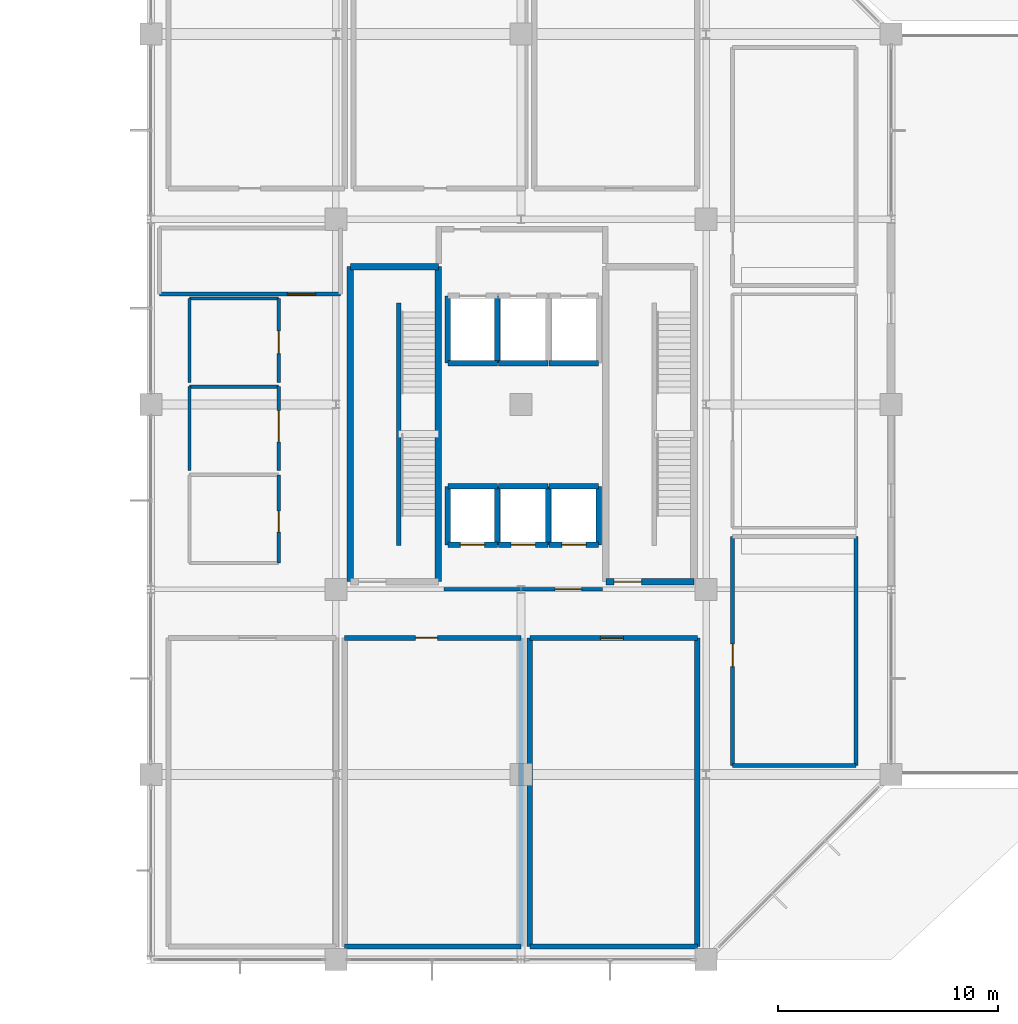
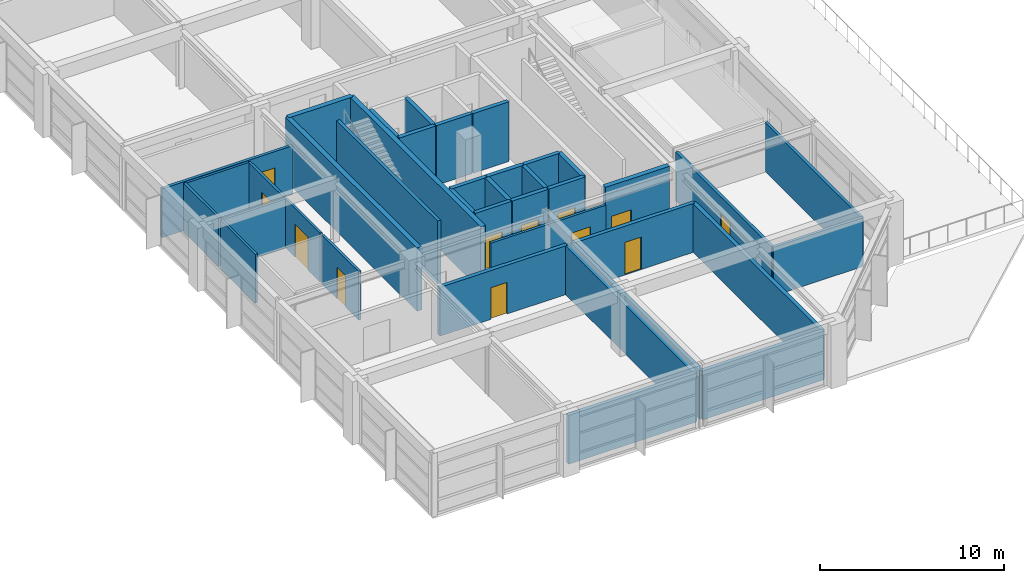
# One storey, part 17 of 21: 39 walls, 12 doors, 12 openings.
"""IFC4 building model written with IfcOpenShell, lengths in metres."""

from ifc_helpers import new_model, si_unit, direction, frame, frame_2d, origin, place, context, subcontext, project, spatial, rectangle, extrude, material, layer, layer_set, type_object, element, fill, save


model = new_model("IFC4")

# Units and contexts
model_context = context("Model", 3, precision=1e-05, world=origin(), true_north=direction((0.0, 1.0)))
body_context = subcontext(model_context, "Body", "Model", "MODEL_VIEW")
ifc_project = project(units=[si_unit("LENGTHUNIT", "METRE"), si_unit("AREAUNIT", "SQUARE_METRE"), si_unit("VOLUMEUNIT", "CUBIC_METRE"), si_unit("PLANEANGLEUNIT", "RADIAN"), si_unit("MASSUNIT", "GRAM", prefix="KILO")], contexts=[model_context])

# Site, building, storey
site_placement = place(None, origin())
site = spatial("IfcSite", under=ifc_project, at=site_placement, CompositionType="ELEMENT")
building_placement = place(site_placement, origin())
building = spatial("IfcBuilding", under=site, at=building_placement, Name="Xuanlan Plaza Opera House", CompositionType="ELEMENT")
storey_placement = place(building_placement, frame((0.0, 0.0, 44.699951171875)))
storey = spatial("IfcBuildingStorey", under=building, at=storey_placement, Name="L10", CompositionType="ELEMENT", Elevation=44.699951171875)

# Wall
ifc_material_1 = material(Name="Gypsum Board and Galvanised Steel Studs", Category="gypsum")
ifc_layer_1 = layer(ifc_material_1, 0.239990234375)
ifc_layer_set_1 = layer_set([ifc_layer_1], Name="Gypsum Board and Galvanised Steel Studs")
wall_type_1 = type_object("IfcWallType", Name="INT-WL-PW-01", PredefinedType="PARTITIONING", material=ifc_layer_set_1)
wall_1_placement = place(storey_placement, frame((134.800048828125, 34.199951171875, 0.0), z_axis=(0.0, 0.0, 1.0), x_axis=(1.0, 0.0, 0.0)))
element("IfcWall", 1, at=wall_1_placement, inside=storey, type_object=wall_type_1, Name="Conservatoire Practice Studio 2 Wall South", PredefinedType="PARTITIONING", context=body_context, shape_type="SweptSolid", body=[
    extrude(rectangle(XDim=8.0, YDim=0.239990234375, at=frame_2d((4.0, 0.0))), origin(), (0.0, 0.0, 1.0), 3.239990234375),
])

# Wall, opening, door
wall_2_placement = place(storey_placement, frame((134.800048828125, 48.199951171875, 0.0), z_axis=(0.0, 0.0, 1.0), x_axis=(1.0, 0.0, 0.0)))
wall_2 = element("IfcWall", 2, at=wall_2_placement, inside=storey, type_object=wall_type_1, Name="Conservatoire Practice Studio 2 Wall North", PredefinedType="PARTITIONING", context=body_context, shape_type="SweptSolid", body=[
    extrude(rectangle(XDim=8.0, YDim=0.239990234375, at=frame_2d((4.0, 0.0))), origin(), (0.0, 0.0, 1.0), 3.239990234375),
])
opening_1_placement = place(wall_2_placement, frame((3.199951171875, 0.0, 0.0)))
opening_1 = element("IfcOpeningElement", 3, at=opening_1_placement, cuts=wall_2, Name="Opening D-02", PredefinedType="OPENING", context=body_context, shape_type="SweptSolid", body=[
    extrude(rectangle(XDim=1.02001953125, YDim=2.10009765625, at=frame_2d((0.510009765625, 1.050048828125))), frame((0.0, 0.1298828125, 0.0), z_axis=(0.0, -1.0, 0.0), x_axis=(1.0, 0.0, 0.0)), (0.0, 0.0, 1.0), 0.260009765625),
])
ifc_material_2 = material(Name="Oak Hardwood Timber", Category="wood")
door_type_1 = type_object("IfcDoorType", Name="INT-DR-D-02", OperationType="NOTDEFINED", PredefinedType="DOOR", material=ifc_material_2)
door_1_placement = place(opening_1_placement, origin())
door_1 = element("IfcDoor", 4, at=door_1_placement, inside=storey, type_object=door_type_1, Name="Conservatoire Practice Studio 2 Door 1", OperationType="SINGLE_SWING_RIGHT", OverallHeight=2.10009765625, OverallWidth=1.02001953125, PredefinedType="DOOR", context=body_context, shape_type="SweptSolid", body=[
    extrude(rectangle(XDim=1.02001953125, YDim=2.10009765625, at=frame_2d((0.510009765625, 1.050048828125))), frame((0.0, 0.02490234375, 0.0), z_axis=(0.0, -1.0, 0.0), x_axis=(1.0, 0.0, 0.0)), (0.0, 0.0, 1.0), 0.050048828125),
])
fill(opening_1, door_1)

# Walls
wall_3_placement = place(storey_placement, frame((142.800048828125, 34.199951171875, 0.0), z_axis=(0.0, 0.0, 1.0), x_axis=(0.0, 1.0, 0.0)))
element("IfcWall", 5, at=wall_3_placement, inside=storey, type_object=wall_type_1, Name="Conservatoire Practice Studio 2 Wall East", PredefinedType="PARTITIONING", context=body_context, shape_type="SweptSolid", body=[
    extrude(rectangle(XDim=14.0, YDim=0.239990234375, at=frame_2d((7.0, 0.0))), origin(), (0.0, 0.0, 1.0), 3.239990234375),
])
wall_4_placement = place(storey_placement, frame((143.199951171875, 34.199951171875, 0.0), z_axis=(0.0, 0.0, 1.0), x_axis=(1.0, 0.0, 0.0)))
element("IfcWall", 6, at=wall_4_placement, inside=storey, type_object=wall_type_1, Name="Conservatoire Practice Studio 3 Wall South", PredefinedType="PARTITIONING", context=body_context, shape_type="SweptSolid", body=[
    extrude(rectangle(XDim=7.60009765625, YDim=0.239990234375, at=frame_2d((3.800048828125, 0.0))), origin(), (0.0, 0.0, 1.0), 3.239990234375),
])

# Wall, opening, door
wall_5_placement = place(storey_placement, frame((143.199951171875, 48.199951171875, 0.0), z_axis=(0.0, 0.0, 1.0), x_axis=(1.0, 0.0, 0.0)))
wall_5 = element("IfcWall", 7, at=wall_5_placement, inside=storey, type_object=wall_type_1, Name="Conservatoire Practice Studio 3 Wall North", PredefinedType="PARTITIONING", context=body_context, shape_type="SweptSolid", body=[
    extrude(rectangle(XDim=7.60009765625, YDim=0.239990234375, at=frame_2d((3.800048828125, 0.0))), origin(), (0.0, 0.0, 1.0), 3.239990234375),
])
opening_2_placement = place(wall_5_placement, frame((3.199951171875, 0.0, 0.0)))
opening_2 = element("IfcOpeningElement", 8, at=opening_2_placement, cuts=wall_5, Name="Opening D-16", PredefinedType="OPENING", context=body_context, shape_type="SweptSolid", body=[
    extrude(rectangle(XDim=1.050048828125, YDim=2.159912109375, at=frame_2d((0.52490234375, 1.080078125))), frame((0.0, 0.1298828125, 0.0), z_axis=(0.0, -1.0, 0.0), x_axis=(1.0, 0.0, 0.0)), (0.0, 0.0, 1.0), 0.260009765625),
])
door_type_2 = type_object("IfcDoorType", Name="INT-DR-D-16", OperationType="NOTDEFINED", PredefinedType="DOOR", material=ifc_material_2)
door_2_placement = place(opening_2_placement, origin())
door_2 = element("IfcDoor", 9, at=door_2_placement, inside=storey, type_object=door_type_2, Name="Conservatoire Practice Studio 3 Door 1", OperationType="SINGLE_SWING_LEFT", OverallHeight=2.159912109375, OverallWidth=1.050048828125, PredefinedType="DOOR", context=body_context, shape_type="SweptSolid", body=[
    extrude(rectangle(XDim=1.050048828125, YDim=2.159912109375, at=frame_2d((0.52490234375, 1.080078125))), frame((0.0, 0.02490234375, 0.0), z_axis=(0.0, -1.0, 0.0), x_axis=(1.0, 0.0, 0.0)), (0.0, 0.0, 1.0), 0.050048828125),
])
fill(opening_2, door_2)

# Walls
for number, where, z_axis, x_axis, name in (
    (10, (143.199951171875, 34.199951171875, 0.0), (0.0, 0.0, 1.0), (0.0, 1.0, 0.0), "Conservatoire Practice Studio 3 Wall West"),
    (11, (150.800048828125, 34.199951171875, 0.0), (0.0, 0.0, 1.0), (0.0, 1.0, 0.0), "Conservatoire Practice Studio 3 Wall East"),
):
    element("IfcWall", number, at=place(storey_placement, frame(where, z_axis=z_axis, x_axis=x_axis)), inside=storey, type_object=wall_type_1, Name=name, PredefinedType="PARTITIONING", context=body_context, shape_type="SweptSolid", body=[
        extrude(rectangle(XDim=14.0, YDim=0.239990234375, at=frame_2d((7.0, 0.0))), origin(), (0.0, 0.0, 1.0), 3.239990234375),
    ])
ifc_layer_2 = layer(ifc_material_1, 0.179931640625)
ifc_layer_set_2 = layer_set([ifc_layer_2], Name="Gypsum Board and Galvanised Steel Studs")
wall_type_2 = type_object("IfcWallType", Name="INT-WL-PW-02", PredefinedType="PARTITIONING", material=ifc_layer_set_2)
wall_6_placement = place(storey_placement, frame((152.39990234375, 42.39990234375, 0.0), z_axis=(0.0, 0.0, 1.0), x_axis=(1.0, 0.0, 0.0)))
element("IfcWall", 12, at=wall_6_placement, inside=storey, type_object=wall_type_2, Name="Libretto and Media Editing Room 1 Wall South", PredefinedType="PARTITIONING", context=body_context, shape_type="SweptSolid", body=[
    extrude(rectangle(XDim=5.60009765625, YDim=0.179931640625, at=frame_2d((2.800048828125, 0.0))), origin(), (0.0, 0.0, 1.0), 3.239990234375),
])

# Wall, opening, door
wall_7_placement = place(storey_placement, frame((152.39990234375, 42.39990234375, 0.0), z_axis=(0.0, 0.0, 1.0), x_axis=(0.0, 1.0, 0.0)))
wall_7 = element("IfcWall", 13, at=wall_7_placement, inside=storey, type_object=wall_type_2, Name="Libretto and Media Editing Room 1 Wall West", PredefinedType="PARTITIONING", context=body_context, shape_type="SweptSolid", body=[
    extrude(rectangle(XDim=10.400146484375, YDim=0.179931640625, at=frame_2d((5.2001953125, 0.0))), origin(), (0.0, 0.0, 1.0), 3.239990234375),
])
opening_3_placement = place(wall_7_placement, frame((4.5, 0.0, 0.0)))
opening_3 = element("IfcOpeningElement", 14, at=opening_3_placement, cuts=wall_7, Name="Opening D-02", PredefinedType="OPENING", context=body_context, shape_type="SweptSolid", body=[
    extrude(rectangle(XDim=1.02001953125, YDim=2.10009765625, at=frame_2d((0.510009765625, 1.050048828125))), frame((0.0, 0.099853515625, 0.0), z_axis=(0.0, -1.0, 0.0), x_axis=(1.0, 0.0, 0.0)), (0.0, 0.0, 1.0), 0.199951171875),
])
door_3_placement = place(opening_3_placement, origin())
door_3 = element("IfcDoor", 15, at=door_3_placement, inside=storey, type_object=door_type_1, Name="Libretto and Media Editing Room 1 Door 1", OperationType="SINGLE_SWING_LEFT", OverallHeight=2.10009765625, OverallWidth=1.02001953125, PredefinedType="DOOR", context=body_context, shape_type="SweptSolid", body=[
    extrude(rectangle(XDim=1.02001953125, YDim=2.10009765625, at=frame_2d((0.510009765625, 1.050048828125))), frame((0.0, 0.02490234375, 0.0), z_axis=(0.0, -1.0, 0.0), x_axis=(1.0, 0.0, 0.0)), (0.0, 0.0, 1.0), 0.050048828125),
])
fill(opening_3, door_3)

# Wall
wall_8_placement = place(storey_placement, frame((158.0, 42.39990234375, 0.0), z_axis=(0.0, 0.0, 1.0), x_axis=(0.0, 1.0, 0.0)))
element("IfcWall", 16, at=wall_8_placement, inside=storey, type_object=wall_type_2, Name="Libretto and Media Editing Room 1 Wall East", PredefinedType="PARTITIONING", context=body_context, shape_type="SweptSolid", body=[
    extrude(rectangle(XDim=10.400146484375, YDim=0.179931640625, at=frame_2d((5.2001953125, 0.0))), origin(), (0.0, 0.0, 1.0), 3.239990234375),
])

# Wall, opening, door
wall_9_placement = place(storey_placement, frame((126.39990234375, 63.800048828125, 0.0), z_axis=(0.0, 0.0, 1.0), x_axis=(1.0, 0.0, 0.0)))
wall_9 = element("IfcWall", 17, at=wall_9_placement, inside=storey, type_object=wall_type_2, Name="Acoustics Research Studio Wall South", PredefinedType="PARTITIONING", context=body_context, shape_type="SweptSolid", body=[
    extrude(rectangle(XDim=8.2001953125, YDim=0.179931640625, at=frame_2d((4.10009765625, 0.0))), origin(), (0.0, 0.0, 1.0), 3.239990234375),
])
opening_4_placement = place(wall_9_placement, frame((5.800048828125, 0.0, 0.0)))
opening_4 = element("IfcOpeningElement", 18, at=opening_4_placement, cuts=wall_9, Name="Opening D-11", PredefinedType="OPENING", context=body_context, shape_type="SweptSolid", body=[
    extrude(rectangle(XDim=1.280029296875, YDim=2.159912109375, at=frame_2d((0.64013671875, 1.080078125))), frame((0.0, 0.099853515625, 0.0), z_axis=(0.0, -1.0, 0.0), x_axis=(1.0, 0.0, 0.0)), (0.0, 0.0, 1.0), 0.199951171875),
])
ifc_material_3 = material(Name="Walnut Hardwood Timber", Category="wood")
door_type_3 = type_object("IfcDoorType", Name="INT-DR-D-11", OperationType="NOTDEFINED", PredefinedType="DOOR", material=ifc_material_3)
door_4_placement = place(opening_4_placement, origin())
door_4 = element("IfcDoor", 19, at=door_4_placement, inside=storey, type_object=door_type_3, Name="Acoustics Research Studio Door 1", OperationType="SINGLE_SWING_RIGHT", OverallHeight=2.159912109375, OverallWidth=1.280029296875, PredefinedType="DOOR", context=body_context, shape_type="SweptSolid", body=[
    extrude(rectangle(XDim=1.280029296875, YDim=2.159912109375, at=frame_2d((0.64013671875, 1.080078125))), frame((0.0, 0.02490234375, 0.0), z_axis=(0.0, -1.0, 0.0), x_axis=(1.0, 0.0, 0.0)), (0.0, 0.0, 1.0), 0.050048828125),
])
fill(opening_4, door_4)

ifc_material_4 = material(Name="Autoclaved Aerated Blockwork Masonry", Category="masonry")
ifc_layer_3 = layer(ifc_material_4, 0.14990234375)
ifc_layer_set_3 = layer_set([ifc_layer_3], Name="Autoclaved Aerated Blockwork Masonry")
wall_type_3 = type_object("IfcWallType", Name="INT-WL-PW-03", PredefinedType="PARTITIONING", material=ifc_layer_set_3)
wall_10_placement = place(storey_placement, frame((131.800048828125, 51.60009765625, 0.0), z_axis=(0.0, 0.0, 1.0), x_axis=(0.0, 1.0, 0.0)))
wall_10 = element("IfcWall", 20, at=wall_10_placement, inside=storey, type_object=wall_type_3, Name="Public WC Wall East", PredefinedType="PARTITIONING", context=body_context, shape_type="SweptSolid", body=[
    extrude(rectangle(XDim=4.0, YDim=0.14990234375, at=frame_2d((2.0, 0.0))), origin(), (0.0, 0.0, 1.0), 3.239990234375),
])
opening_5_placement = place(wall_10_placement, frame((1.39990234375, 0.0, 0.0)))
opening_5 = element("IfcOpeningElement", 21, at=opening_5_placement, cuts=wall_10, Name="Opening D-01", PredefinedType="OPENING", context=body_context, shape_type="SweptSolid", body=[
    extrude(rectangle(XDim=0.949951171875, YDim=2.10009765625, at=frame_2d((0.47509765625, 1.050048828125))), frame((0.0, 0.0849609375, 0.0), z_axis=(0.0, -1.0, 0.0), x_axis=(1.0, 0.0, 0.0)), (0.0, 0.0, 1.0), 0.169921875),
])
door_type_4 = type_object("IfcDoorType", Name="INT-DR-D-01", OperationType="NOTDEFINED", PredefinedType="DOOR", material=ifc_material_3)
door_5_placement = place(opening_5_placement, origin())
door_5 = element("IfcDoor", 22, at=door_5_placement, inside=storey, type_object=door_type_4, Name="Public WC Door 1", OperationType="SINGLE_SWING_RIGHT", OverallHeight=2.10009765625, OverallWidth=0.949951171875, PredefinedType="DOOR", context=body_context, shape_type="SweptSolid", body=[
    extrude(rectangle(XDim=0.949951171875, YDim=2.10009765625, at=frame_2d((0.47509765625, 1.050048828125))), frame((0.0, 0.02490234375, 0.0), z_axis=(0.0, -1.0, 0.0), x_axis=(1.0, 0.0, 0.0)), (0.0, 0.0, 1.0), 0.050048828125),
])
fill(opening_5, door_5)

# Walls
wall_11_placement = place(storey_placement, frame((127.75, 59.60009765625, 0.0), z_axis=(0.0, 0.0, 1.0), x_axis=(1.0, 0.0, 0.0)))
element("IfcWall", 23, at=wall_11_placement, inside=storey, type_object=wall_type_3, Name="Staff WC Wall North", PredefinedType="PARTITIONING", context=body_context, shape_type="SweptSolid", body=[
    extrude(rectangle(XDim=4.050048828125, YDim=0.14990234375, at=frame_2d((2.02490234375, 0.0))), origin(), (0.0, 0.0, 1.0), 3.239990234375),
])
wall_12_placement = place(storey_placement, frame((127.75, 55.800048828125, 0.0), z_axis=(0.0, 0.0, 1.0), x_axis=(0.0, 1.0, 0.0)))
element("IfcWall", 24, at=wall_12_placement, inside=storey, type_object=wall_type_3, Name="Staff WC Wall West", PredefinedType="PARTITIONING", context=body_context, shape_type="SweptSolid", body=[
    extrude(rectangle(XDim=3.800048828125, YDim=0.14990234375, at=frame_2d((1.89990234375, 0.0))), origin(), (0.0, 0.0, 1.0), 3.239990234375),
])

# Wall, opening, door
wall_13_placement = place(storey_placement, frame((131.800048828125, 55.800048828125, 0.0), z_axis=(0.0, 0.0, 1.0), x_axis=(0.0, 1.0, 0.0)))
wall_13 = element("IfcWall", 25, at=wall_13_placement, inside=storey, type_object=wall_type_3, Name="Staff WC Wall East", PredefinedType="PARTITIONING", context=body_context, shape_type="SweptSolid", body=[
    extrude(rectangle(XDim=3.800048828125, YDim=0.14990234375, at=frame_2d((1.89990234375, 0.0))), origin(), (0.0, 0.0, 1.0), 3.239990234375),
])
opening_6_placement = place(wall_13_placement, frame((1.300048828125, 0.0, 0.0)))
opening_6 = element("IfcOpeningElement", 26, at=opening_6_placement, cuts=wall_13, Name="Opening D-12", PredefinedType="OPENING", context=body_context, shape_type="SweptSolid", body=[
    extrude(rectangle(XDim=1.419921875, YDim=2.179931640625, at=frame_2d((0.7099609375, 1.08984375))), frame((0.0, 0.0849609375, 0.0), z_axis=(0.0, -1.0, 0.0), x_axis=(1.0, 0.0, 0.0)), (0.0, 0.0, 1.0), 0.169921875),
])
door_type_5 = type_object("IfcDoorType", Name="INT-DR-D-12", OperationType="DOUBLE_DOOR_SINGLE_SWING", PredefinedType="DOOR", material=ifc_material_2)
door_6_placement = place(opening_6_placement, origin())
door_6 = element("IfcDoor", 27, at=door_6_placement, inside=storey, type_object=door_type_5, Name="Staff WC Door 1", OperationType="DOUBLE_DOOR_SINGLE_SWING", OverallHeight=2.179931640625, OverallWidth=1.419921875, PredefinedType="DOOR", context=body_context, shape_type="SweptSolid", body=[
    extrude(rectangle(XDim=1.419921875, YDim=2.179931640625, at=frame_2d((0.7099609375, 1.08984375))), frame((0.0, 0.02490234375, 0.0), z_axis=(0.0, -1.0, 0.0), x_axis=(1.0, 0.0, 0.0)), (0.0, 0.0, 1.0), 0.050048828125),
])
fill(opening_6, door_6)

# Walls
wall_14_placement = place(storey_placement, frame((127.75, 63.60009765625, 0.0), z_axis=(0.0, 0.0, 1.0), x_axis=(1.0, 0.0, 0.0)))
element("IfcWall", 28, at=wall_14_placement, inside=storey, type_object=wall_type_3, Name="Accessible WC Wall North", PredefinedType="PARTITIONING", context=body_context, shape_type="SweptSolid", body=[
    extrude(rectangle(XDim=4.050048828125, YDim=0.14990234375, at=frame_2d((2.02490234375, 0.0))), origin(), (0.0, 0.0, 1.0), 3.239990234375),
])
wall_15_placement = place(storey_placement, frame((127.75, 59.800048828125, 0.0), z_axis=(0.0, 0.0, 1.0), x_axis=(0.0, 1.0, 0.0)))
element("IfcWall", 29, at=wall_15_placement, inside=storey, type_object=wall_type_3, Name="Accessible WC Wall West", PredefinedType="PARTITIONING", context=body_context, shape_type="SweptSolid", body=[
    extrude(rectangle(XDim=3.800048828125, YDim=0.14990234375, at=frame_2d((1.89990234375, 0.0))), origin(), (0.0, 0.0, 1.0), 3.239990234375),
])

# Wall, opening, door
wall_16_placement = place(storey_placement, frame((131.800048828125, 59.800048828125, 0.0), z_axis=(0.0, 0.0, 1.0), x_axis=(0.0, 1.0, 0.0)))
wall_16 = element("IfcWall", 30, at=wall_16_placement, inside=storey, type_object=wall_type_3, Name="Accessible WC Wall East", PredefinedType="PARTITIONING", context=body_context, shape_type="SweptSolid", body=[
    extrude(rectangle(XDim=3.800048828125, YDim=0.14990234375, at=frame_2d((1.89990234375, 0.0))), origin(), (0.0, 0.0, 1.0), 3.239990234375),
])
opening_7_placement = place(wall_16_placement, frame((1.300048828125, 0.0, 0.0)))
opening_7 = element("IfcOpeningElement", 31, at=opening_7_placement, cuts=wall_16, Name="Opening D-02", PredefinedType="OPENING", context=body_context, shape_type="SweptSolid", body=[
    extrude(rectangle(XDim=1.02001953125, YDim=2.10009765625, at=frame_2d((0.510009765625, 1.050048828125))), frame((0.0, 0.0849609375, 0.0), z_axis=(0.0, -1.0, 0.0), x_axis=(1.0, 0.0, 0.0)), (0.0, 0.0, 1.0), 0.169921875),
])
door_7_placement = place(opening_7_placement, origin())
door_7 = element("IfcDoor", 32, at=door_7_placement, inside=storey, type_object=door_type_1, Name="Accessible WC Door 1", OperationType="SINGLE_SWING_RIGHT", OverallHeight=2.10009765625, OverallWidth=1.02001953125, PredefinedType="DOOR", context=body_context, shape_type="SweptSolid", body=[
    extrude(rectangle(XDim=1.02001953125, YDim=2.10009765625, at=frame_2d((0.510009765625, 1.050048828125))), frame((0.0, 0.02490234375, 0.0), z_axis=(0.0, -1.0, 0.0), x_axis=(1.0, 0.0, 0.0)), (0.0, 0.0, 1.0), 0.050048828125),
])
fill(opening_7, door_7)

ifc_layer_4 = layer(ifc_material_1, 0.159912109375)
ifc_layer_set_4 = layer_set([ifc_layer_4], Name="Gypsum Board and Galvanised Steel Studs")
wall_type_4 = type_object("IfcWallType", Name="INT-WL-PW-05", PredefinedType="PARTITIONING", material=ifc_layer_set_4)
wall_17_placement = place(storey_placement, frame((139.300048828125, 50.39990234375, 0.0), z_axis=(0.0, 0.0, 1.0), x_axis=(1.0, 0.0, 0.0)))
wall_17 = element("IfcWall", 33, at=wall_17_placement, inside=storey, type_object=wall_type_4, Name="Tower Lift Lobby Wall South", PredefinedType="PARTITIONING", context=body_context, shape_type="SweptSolid", body=[
    extrude(rectangle(XDim=7.199951171875, YDim=0.159912109375, at=frame_2d((3.60009765625, 0.0))), origin(), (0.0, 0.0, 1.0), 3.239990234375),
])
opening_8_placement = place(wall_17_placement, frame((5.050048828125, 0.0, 0.0)))
opening_8 = element("IfcOpeningElement", 34, at=opening_8_placement, cuts=wall_17, Name="Opening FD-02", PredefinedType="OPENING", context=body_context, shape_type="SweptSolid", body=[
    extrude(rectangle(XDim=1.199951171875, YDim=2.14990234375, at=frame_2d((0.60009765625, 1.074951171875))), frame((0.0, 0.08984375, 0.0), z_axis=(0.0, -1.0, 0.0), x_axis=(1.0, 0.0, 0.0)), (0.0, 0.0, 1.0), 0.179931640625),
])
ifc_material_5 = material(Name="Galvanised Steel Q235B", Category="steel")
door_type_6 = type_object("IfcDoorType", Name="INT-DR-FD-02", OperationType="NOTDEFINED", PredefinedType="DOOR", material=ifc_material_5)
door_8_placement = place(opening_8_placement, frame((1.199951171875, 0.0, 0.0), z_axis=(0.0, 0.0, 1.0), x_axis=(-1.0, 0.0, 0.0)))
door_8 = element("IfcDoor", 35, at=door_8_placement, inside=storey, type_object=door_type_6, Name="Tower Lift Lobby Door 1", OperationType="SINGLE_SWING_RIGHT", OverallHeight=2.14990234375, OverallWidth=1.199951171875, PredefinedType="DOOR", context=body_context, shape_type="SweptSolid", body=[
    extrude(rectangle(XDim=1.199951171875, YDim=2.14990234375, at=frame_2d((0.60009765625, 1.074951171875))), frame((0.0, 0.02490234375, 0.0), z_axis=(0.0, -1.0, 0.0), x_axis=(1.0, 0.0, 0.0)), (0.0, 0.0, 1.0), 0.050048828125),
])
fill(opening_8, door_8)

# Walls
ifc_material_6 = material(Name="Concrete C40", Category="concrete")
ifc_layer_5 = layer(ifc_material_6, 0.25)
ifc_layer_set_5 = layer_set([ifc_layer_5], Name="Concrete C40")
wall_type_5 = type_object("IfcWallType", Name="INT-WL-SW-LF1", PredefinedType="SHEAR", material=ifc_layer_set_5)
wall_18_placement = place(storey_placement, frame((139.47509765625, 60.675048828125, 0.0), z_axis=(0.0, 0.0, 1.0), x_axis=(1.0, 0.0, 0.0)))
element("IfcWall", 36, at=wall_18_placement, inside=storey, type_object=wall_type_5, Name="Lift Shaft Wall LF-FF1 L10 South", PredefinedType="SHEAR", context=body_context, shape_type="SweptSolid", body=[
    extrude(rectangle(XDim=2.25, YDim=0.25, at=frame_2d((1.125, 0.0))), origin(), (0.0, 0.0, 1.0), 3.9599609375),
])
for number, where, z_axis, x_axis, name in (
    (37, (139.47509765625, 60.675048828125, 0.0), (0.0, 0.0, 1.0), (0.0, 1.0, 0.0), "Lift Shaft Wall LF-FF1 L10 West"),
    (38, (141.72509765625, 60.675048828125, 0.0), (0.0, 0.0, 1.0), (0.0, 1.0, 0.0), "Lift Shaft Wall LF-FF1 L10 East"),
):
    element("IfcWall", number, at=place(storey_placement, frame(where, z_axis=z_axis, x_axis=x_axis)), inside=storey, type_object=wall_type_5, Name=name, PredefinedType="SHEAR", context=body_context, shape_type="SweptSolid", body=[
        extrude(rectangle(XDim=3.050048828125, YDim=0.25, at=frame_2d((1.52490234375, 0.0))), origin(), (0.0, 0.0, 1.0), 3.9599609375),
    ])
for number, where, z_axis, x_axis, name in (
    (39, (141.77490234375, 60.675048828125, 0.0), (0.0, 0.0, 1.0), (1.0, 0.0, 0.0), "Lift Shaft Wall LF-FF2 L10 South"),
    (40, (144.074951171875, 60.675048828125, 0.0), (0.0, 0.0, 1.0), (1.0, 0.0, 0.0), "Lift Shaft Wall LF-FF3 L10 South"),
):
    element("IfcWall", number, at=place(storey_placement, frame(where, z_axis=z_axis, x_axis=x_axis)), inside=storey, type_object=wall_type_5, Name=name, PredefinedType="SHEAR", context=body_context, shape_type="SweptSolid", body=[
        extrude(rectangle(XDim=2.25, YDim=0.25, at=frame_2d((1.125, 0.0))), origin(), (0.0, 0.0, 1.0), 3.9599609375),
    ])

# Wall, opening, door
wall_19_placement = place(storey_placement, frame((139.47509765625, 52.425048828125, 0.0), z_axis=(0.0, 0.0, 1.0), x_axis=(1.0, 0.0, 0.0)))
wall_19 = element("IfcWall", 41, at=wall_19_placement, inside=storey, type_object=wall_type_5, Name="Lift Shaft Wall LF-P1 L10 South", PredefinedType="SHEAR", context=body_context, shape_type="SweptSolid", body=[
    extrude(rectangle(XDim=2.25, YDim=0.25, at=frame_2d((1.125, 0.0))), origin(), (0.0, 0.0, 1.0), 3.9599609375),
])
opening_9_placement = place(wall_19_placement, frame((0.574951171875, 0.0, 0.0)))
opening_9 = element("IfcOpeningElement", 42, at=opening_9_placement, cuts=wall_19, Name="Opening LD-P1-L10", PredefinedType="OPENING", context=body_context, shape_type="SweptSolid", body=[
    extrude(rectangle(XDim=1.10009765625, YDim=2.14990234375, at=frame_2d((0.550048828125, 1.074951171875))), frame((0.0, 0.135009765625, 0.0), z_axis=(0.0, -1.0, 0.0), x_axis=(1.0, 0.0, 0.0)), (0.0, 0.0, 1.0), 0.27001953125),
])
ifc_material_7 = material(Name="Stainless Steel S30408", Category="steel")
door_type_7 = type_object("IfcDoorType", Name="INT-DR-LD-01", OperationType="DOUBLE_DOOR_SLIDING", PredefinedType="DOOR", material=ifc_material_7)
door_9_placement = place(opening_9_placement, origin())
door_9 = element("IfcDoor", 43, at=door_9_placement, inside=storey, type_object=door_type_7, Name="Lift Sliding Landing Door LF-P1 L10", OperationType="DOUBLE_DOOR_SLIDING", OverallHeight=2.14990234375, OverallWidth=1.10009765625, PredefinedType="DOOR", context=body_context, shape_type="SweptSolid", body=[
    extrude(rectangle(XDim=1.10009765625, YDim=2.14990234375, at=frame_2d((0.550048828125, 1.074951171875))), frame((0.0, 0.02490234375, 0.0), z_axis=(0.0, -1.0, 0.0), x_axis=(1.0, 0.0, 0.0)), (0.0, 0.0, 1.0), 0.050048828125),
])
fill(opening_9, door_9)

# Walls
wall_20_placement = place(storey_placement, frame((139.47509765625, 55.074951171875, 0.0), z_axis=(0.0, 0.0, 1.0), x_axis=(1.0, 0.0, 0.0)))
element("IfcWall", 44, at=wall_20_placement, inside=storey, type_object=wall_type_5, Name="Lift Shaft Wall LF-P1 L10 North", PredefinedType="SHEAR", context=body_context, shape_type="SweptSolid", body=[
    extrude(rectangle(XDim=2.25, YDim=0.25, at=frame_2d((1.125, 0.0))), origin(), (0.0, 0.0, 1.0), 3.9599609375),
])
for number, where, z_axis, x_axis, name in (
    (45, (139.47509765625, 52.425048828125, 0.0), (0.0, 0.0, 1.0), (0.0, 1.0, 0.0), "Lift Shaft Wall LF-P1 L10 West"),
    (46, (141.72509765625, 52.425048828125, 0.0), (0.0, 0.0, 1.0), (0.0, 1.0, 0.0), "Lift Shaft Wall LF-P1 L10 East"),
):
    element("IfcWall", number, at=place(storey_placement, frame(where, z_axis=z_axis, x_axis=x_axis)), inside=storey, type_object=wall_type_5, Name=name, PredefinedType="SHEAR", context=body_context, shape_type="SweptSolid", body=[
        extrude(rectangle(XDim=2.64990234375, YDim=0.25, at=frame_2d((1.324951171875, 0.0))), origin(), (0.0, 0.0, 1.0), 3.9599609375),
    ])

# Wall, opening, door
wall_21_placement = place(storey_placement, frame((141.77490234375, 52.425048828125, 0.0), z_axis=(0.0, 0.0, 1.0), x_axis=(1.0, 0.0, 0.0)))
wall_21 = element("IfcWall", 47, at=wall_21_placement, inside=storey, type_object=wall_type_5, Name="Lift Shaft Wall LF-P2 L10 South", PredefinedType="SHEAR", context=body_context, shape_type="SweptSolid", body=[
    extrude(rectangle(XDim=2.25, YDim=0.25, at=frame_2d((1.125, 0.0))), origin(), (0.0, 0.0, 1.0), 3.9599609375),
])
opening_10_placement = place(wall_21_placement, frame((0.574951171875, 0.0, 0.0)))
opening_10 = element("IfcOpeningElement", 48, at=opening_10_placement, cuts=wall_21, Name="Opening LD-P2-L10", PredefinedType="OPENING", context=body_context, shape_type="SweptSolid", body=[
    extrude(rectangle(XDim=1.10009765625, YDim=2.14990234375, at=frame_2d((0.550048828125, 1.074951171875))), frame((0.0, 0.135009765625, 0.0), z_axis=(0.0, -1.0, 0.0), x_axis=(1.0, 0.0, 0.0)), (0.0, 0.0, 1.0), 0.27001953125),
])
door_10_placement = place(opening_10_placement, origin())
door_10 = element("IfcDoor", 49, at=door_10_placement, inside=storey, type_object=door_type_7, Name="Lift Sliding Landing Door LF-P2 L10", OperationType="DOUBLE_DOOR_SLIDING", OverallHeight=2.14990234375, OverallWidth=1.10009765625, PredefinedType="DOOR", context=body_context, shape_type="SweptSolid", body=[
    extrude(rectangle(XDim=1.10009765625, YDim=2.14990234375, at=frame_2d((0.550048828125, 1.074951171875))), frame((0.0, 0.02490234375, 0.0), z_axis=(0.0, -1.0, 0.0), x_axis=(1.0, 0.0, 0.0)), (0.0, 0.0, 1.0), 0.050048828125),
])
fill(opening_10, door_10)

# Walls
wall_22_placement = place(storey_placement, frame((141.77490234375, 55.074951171875, 0.0), z_axis=(0.0, 0.0, 1.0), x_axis=(1.0, 0.0, 0.0)))
element("IfcWall", 50, at=wall_22_placement, inside=storey, type_object=wall_type_5, Name="Lift Shaft Wall LF-P2 L10 North", PredefinedType="SHEAR", context=body_context, shape_type="SweptSolid", body=[
    extrude(rectangle(XDim=2.25, YDim=0.25, at=frame_2d((1.125, 0.0))), origin(), (0.0, 0.0, 1.0), 3.9599609375),
])
wall_23_placement = place(storey_placement, frame((144.02490234375, 52.425048828125, 0.0), z_axis=(0.0, 0.0, 1.0), x_axis=(0.0, 1.0, 0.0)))
element("IfcWall", 51, at=wall_23_placement, inside=storey, type_object=wall_type_5, Name="Lift Shaft Wall LF-P2 L10 East", PredefinedType="SHEAR", context=body_context, shape_type="SweptSolid", body=[
    extrude(rectangle(XDim=2.64990234375, YDim=0.25, at=frame_2d((1.324951171875, 0.0))), origin(), (0.0, 0.0, 1.0), 3.9599609375),
])

# Wall, opening, door
wall_24_placement = place(storey_placement, frame((144.074951171875, 52.425048828125, 0.0), z_axis=(0.0, 0.0, 1.0), x_axis=(1.0, 0.0, 0.0)))
wall_24 = element("IfcWall", 52, at=wall_24_placement, inside=storey, type_object=wall_type_5, Name="Lift Shaft Wall LF-P3 L10 South", PredefinedType="SHEAR", context=body_context, shape_type="SweptSolid", body=[
    extrude(rectangle(XDim=2.25, YDim=0.25, at=frame_2d((1.125, 0.0))), origin(), (0.0, 0.0, 1.0), 3.9599609375),
])
opening_11_placement = place(wall_24_placement, frame((0.574951171875, 0.0, 0.0)))
opening_11 = element("IfcOpeningElement", 53, at=opening_11_placement, cuts=wall_24, Name="Opening LD-P3-L10", PredefinedType="OPENING", context=body_context, shape_type="SweptSolid", body=[
    extrude(rectangle(XDim=1.10009765625, YDim=2.14990234375, at=frame_2d((0.550048828125, 1.074951171875))), frame((0.0, 0.135009765625, 0.0), z_axis=(0.0, -1.0, 0.0), x_axis=(1.0, 0.0, 0.0)), (0.0, 0.0, 1.0), 0.27001953125),
])
door_11_placement = place(opening_11_placement, origin())
door_11 = element("IfcDoor", 54, at=door_11_placement, inside=storey, type_object=door_type_7, Name="Lift Sliding Landing Door LF-P3 L10", OperationType="DOUBLE_DOOR_SLIDING", OverallHeight=2.14990234375, OverallWidth=1.10009765625, PredefinedType="DOOR", context=body_context, shape_type="SweptSolid", body=[
    extrude(rectangle(XDim=1.10009765625, YDim=2.14990234375, at=frame_2d((0.550048828125, 1.074951171875))), frame((0.0, 0.02490234375, 0.0), z_axis=(0.0, -1.0, 0.0), x_axis=(1.0, 0.0, 0.0)), (0.0, 0.0, 1.0), 0.050048828125),
])
fill(opening_11, door_11)

# Walls
wall_25_placement = place(storey_placement, frame((144.074951171875, 55.074951171875, 0.0), z_axis=(0.0, 0.0, 1.0), x_axis=(1.0, 0.0, 0.0)))
element("IfcWall", 55, at=wall_25_placement, inside=storey, type_object=wall_type_5, Name="Lift Shaft Wall LF-P3 L10 North", PredefinedType="SHEAR", context=body_context, shape_type="SweptSolid", body=[
    extrude(rectangle(XDim=2.25, YDim=0.25, at=frame_2d((1.125, 0.0))), origin(), (0.0, 0.0, 1.0), 3.9599609375),
])
wall_26_placement = place(storey_placement, frame((146.324951171875, 52.425048828125, 0.0), z_axis=(0.0, 0.0, 1.0), x_axis=(0.0, 1.0, 0.0)))
element("IfcWall", 56, at=wall_26_placement, inside=storey, type_object=wall_type_5, Name="Lift Shaft Wall LF-P3 L10 East", PredefinedType="SHEAR", context=body_context, shape_type="SweptSolid", body=[
    extrude(rectangle(XDim=2.64990234375, YDim=0.25, at=frame_2d((1.324951171875, 0.0))), origin(), (0.0, 0.0, 1.0), 3.9599609375),
])
ifc_layer_6 = layer(ifc_material_6, 0.199951171875)
ifc_layer_set_6 = layer_set([ifc_layer_6], Name="Concrete C40")
wall_type_6 = type_object("IfcWallType", Name="INT-WL-SW-SPN", PredefinedType="SHEAR", material=ifc_layer_set_6)
wall_27_placement = place(storey_placement, frame((137.25, 52.39990234375, 0.0), z_axis=(0.0, 0.0, 1.0), x_axis=(0.0, 1.0, 0.0)))
element("IfcWall", 57, at=wall_27_placement, inside=storey, type_object=wall_type_6, Name="Stair Structural Spine Wall ST-T1 L10", PredefinedType="SHEAR", context=body_context, shape_type="SweptSolid", body=[
    extrude(rectangle(XDim=11.0, YDim=0.199951171875, at=frame_2d((5.5, 0.0))), origin(), (0.0, 0.0, 1.0), 4.199951171875),
])
ifc_layer_7 = layer(ifc_material_6, 0.300048828125)
ifc_layer_set_7 = layer_set([ifc_layer_7], Name="Concrete C40")
wall_type_7 = type_object("IfcWallType", Name="INT-WL-SW-ST1", PredefinedType="SHEAR", material=ifc_layer_set_7)
wall_28_placement = place(storey_placement, frame((135.050048828125, 65.050048828125, 0.0), z_axis=(0.0, 0.0, 1.0), x_axis=(1.0, 0.0, 0.0)))
element("IfcWall", 58, at=wall_28_placement, inside=storey, type_object=wall_type_7, Name="Stair Core Wall ST-T1 L10 North", PredefinedType="SHEAR", context=body_context, shape_type="SweptSolid", body=[
    extrude(rectangle(XDim=4.0, YDim=0.300048828125, at=frame_2d((2.0, 0.0))), origin(), (0.0, 0.0, 1.0), 4.199951171875),
])
for number, where, z_axis, x_axis, name in (
    (59, (135.050048828125, 50.75, 0.0), (0.0, 0.0, 1.0), (0.0, 1.0, 0.0), "Stair Core Wall ST-T1 L10 West"),
    (60, (139.050048828125, 50.75, 0.0), (0.0, 0.0, 1.0), (0.0, 1.0, 0.0), "Stair Core Wall ST-T1 L10 East"),
):
    element("IfcWall", number, at=place(storey_placement, frame(where, z_axis=z_axis, x_axis=x_axis)), inside=storey, type_object=wall_type_7, Name=name, PredefinedType="SHEAR", context=body_context, shape_type="SweptSolid", body=[
        extrude(rectangle(XDim=14.300048828125, YDim=0.300048828125, at=frame_2d((7.14990234375, 0.0))), origin(), (0.0, 0.0, 1.0), 4.199951171875),
    ])

# Wall, opening, door
wall_29_placement = place(storey_placement, frame((146.64990234375, 50.75, 0.0), z_axis=(0.0, 0.0, 1.0), x_axis=(1.0, 0.0, 0.0)))
wall_29 = element("IfcWall", 61, at=wall_29_placement, inside=storey, type_object=wall_type_7, Name="Stair Core Wall ST-T2 L10 South", PredefinedType="SHEAR", context=body_context, shape_type="SweptSolid", body=[
    extrude(rectangle(XDim=4.0, YDim=0.300048828125, at=frame_2d((2.0, 0.0))), origin(), (0.0, 0.0, 1.0), 4.199951171875),
])
opening_12_placement = place(wall_29_placement, frame((0.375, 0.0, 0.0)))
opening_12 = element("IfcOpeningElement", 62, at=opening_12_placement, cuts=wall_29, Name="Opening FD-ST1", PredefinedType="OPENING", context=body_context, shape_type="SweptSolid", body=[
    extrude(rectangle(XDim=1.25, YDim=2.14990234375, at=frame_2d((0.625, 1.074951171875))), frame((0.0, 0.159912109375, 0.0), z_axis=(0.0, -1.0, 0.0), x_axis=(1.0, 0.0, 0.0)), (0.0, 0.0, 1.0), 0.320068359375),
])
door_type_8 = type_object("IfcDoorType", Name="INT-DR-FD-ST1", OperationType="NOTDEFINED", PredefinedType="DOOR", material=ifc_material_5)
door_12_placement = place(opening_12_placement, origin())
door_12 = element("IfcDoor", 63, at=door_12_placement, inside=storey, type_object=door_type_8, Name="Stair Enclosure Fire Door ST-T2 L10", OperationType="SINGLE_SWING_RIGHT", OverallHeight=2.14990234375, OverallWidth=1.25, PredefinedType="DOOR", context=body_context, shape_type="SweptSolid", body=[
    extrude(rectangle(XDim=1.25, YDim=2.14990234375, at=frame_2d((0.625, 1.074951171875))), frame((0.0, 0.02490234375, 0.0), z_axis=(0.0, -1.0, 0.0), x_axis=(1.0, 0.0, 0.0)), (0.0, 0.0, 1.0), 0.050048828125),
])
fill(opening_12, door_12)

save(model, "model.ifc")
